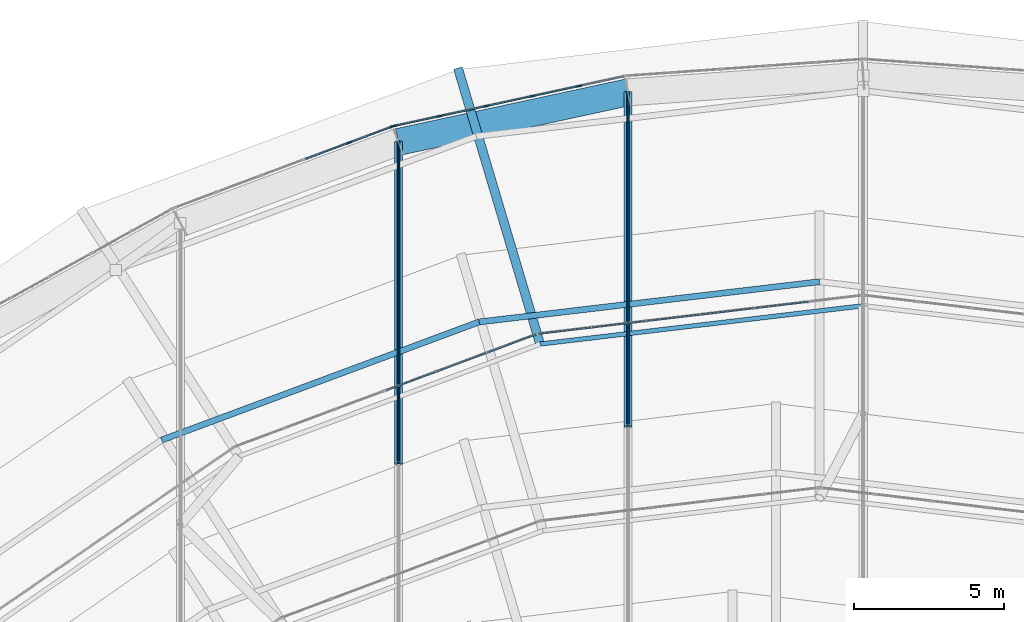
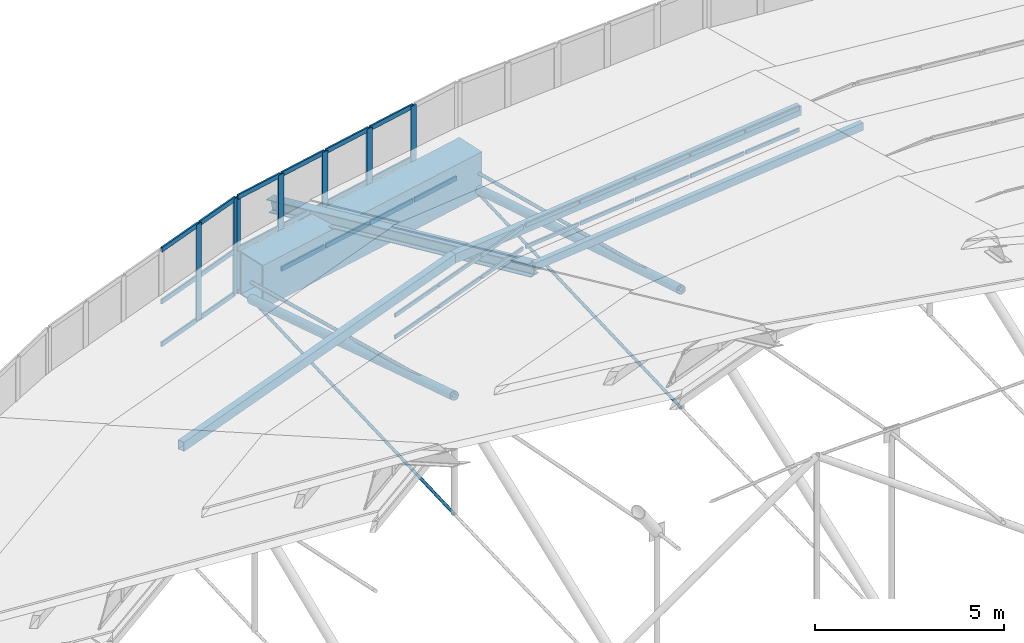
# One storey, part 114 of 173: 52 members, 1 beam, 4 elements without a shape of their own.
"""IFC4 building model written with IfcOpenShell, lengths in metres."""

import ifcopenshell
import ifcopenshell.guid

model = None  # the IFC model being written
_history = None  # IfcOwnerHistory: only IFC2X3 demands one
_inside = {}  # id of a spatial element -> (the spatial element, [elements in it])
_under = {}  # id of a project, library or spatial element -> (it, [spatial elements below it])
_declared = {}  # id of a project -> (the project, [libraries it declares])
_typed = {}  # id of a type object -> (the type object, [elements of that type])
_made_of = {}  # id of a material, layer set ... -> (it, [elements and type objects made of it])


def new_model(schema):
    """Start an empty IFC model of exactly this schema.

    Asked for "IFC4X3", IfcOpenShell would pick the latest addendum, in which some entities
    have other attributes; the version numbers below select the first issue.
    IFC2X3 requires an IfcOwnerHistory on every rooted entity: one is made here for all.
    """
    global model, _history
    if schema == "IFC4X3":
        model = ifcopenshell.file(schema_version=(4, 3, 0, 0))
    else:
        model = ifcopenshell.file(schema=schema)
    _inside.clear()
    _under.clear()
    _declared.clear()
    _typed.clear()
    _made_of.clear()
    _history = None
    if model.schema == "IFC2X3":
        org = make("IfcOrganization", Name="unknown")
        user = make(
            "IfcPersonAndOrganization",
            ThePerson=make("IfcPerson", FamilyName="unknown"),
            TheOrganization=org,
        )
        app = make(
            "IfcApplication",
            ApplicationDeveloper=org,
            Version="unknown",
            ApplicationFullName="unknown",
            ApplicationIdentifier="unknown",
        )
        _history = make(
            "IfcOwnerHistory",
            OwningUser=user,
            OwningApplication=app,
            ChangeAction="ADDED",
            CreationDate=0,
        )
    return model


def make(cls, **values):
    """One entity of the class cls with the attributes given. An attribute that is None is left unset."""
    return model.create_entity(
        cls, **{name: value for name, value in values.items() if value is not None}
    )


def rooted(cls, **values):
    """An entity with a GlobalId (a new one), such as an element, a storey or a relation."""
    return make(cls, GlobalId=ifcopenshell.guid.new(), OwnerHistory=_history, **values)


def si_unit(unit_type, name, prefix=None):
    """IfcSIUnit, for example si_unit("LENGTHUNIT", "METRE", prefix="MILLI")."""
    return make("IfcSIUnit", UnitType=unit_type, Prefix=prefix, Name=name)


def assignment(units):
    """IfcUnitAssignment: the units of a project."""
    return None if units is None else make("IfcUnitAssignment", Units=units)


def point(xyz):
    """IfcCartesianPoint."""
    return None if xyz is None else make("IfcCartesianPoint", Coordinates=xyz)


def direction(xyz):
    """IfcDirection."""
    return None if xyz is None else make("IfcDirection", DirectionRatios=xyz)


def frame(location, z_axis=None, x_axis=None):
    """IfcAxis2Placement3D, a coordinate frame: its origin and axes. An axis left out is left unset."""
    return make(
        "IfcAxis2Placement3D",
        Location=point(location),
        Axis=direction(z_axis),
        RefDirection=direction(x_axis),
    )


def frame_2d(location, x_axis=None):
    """IfcAxis2Placement2D, a coordinate frame in the plane: its origin and x axis."""
    return make(
        "IfcAxis2Placement2D", Location=point(location), RefDirection=direction(x_axis)
    )


def origin():
    """The frame at (0, 0, 0) with its axes left unset."""
    return frame((0.0, 0.0, 0.0))


def origin_2d():
    """The frame at (0, 0) in the plane with its x axis left unset."""
    return frame_2d((0.0, 0.0))


def place(relative_to, where):
    """IfcLocalPlacement: puts the frame where relative to a parent placement (None: the world)."""
    return make(
        "IfcLocalPlacement", PlacementRelTo=relative_to, RelativePlacement=where
    )


def context(
    kind, dimensions, precision=None, world=None, true_north=None, identifier=None
):
    """IfcGeometricRepresentationContext, for example the 3D "Model" context."""
    return make(
        "IfcGeometricRepresentationContext",
        ContextIdentifier=identifier,
        ContextType=kind,
        CoordinateSpaceDimension=dimensions,
        Precision=precision,
        WorldCoordinateSystem=world,
        TrueNorth=true_north,
    )


def subcontext(parent, identifier, kind, view, scale=None):
    """IfcGeometricRepresentationSubContext, for example "Body" below "Model"."""
    return make(
        "IfcGeometricRepresentationSubContext",
        ContextIdentifier=identifier,
        ContextType=kind,
        ParentContext=parent,
        TargetScale=scale,
        TargetView=view,
    )


def project(units=None, contexts=None):
    """IfcProject with its units and contexts."""
    return rooted(
        "IfcProject",
        Name="project",
        RepresentationContexts=contexts,
        UnitsInContext=assignment(units),
    )


def spatial(cls, under=None, at=None, **own):
    """A site, building, storey or space (cls), placed at a placement, below another one or the project."""
    s = rooted(cls, ObjectPlacement=at, **own)
    if under is not None:
        _under.setdefault(under.id(), (under, []))[1].append(s)
    return s


def profile(cls, at=None, kind="AREA", **sizes):
    """A parametric profile (cls). Its sizes go by their IFC names, for example OverallWidth=200.0."""
    return make(cls, ProfileType=kind, Position=at, **sizes)


def rectangle(**sizes):
    """IfcRectangleProfileDef."""
    return profile("IfcRectangleProfileDef", **sizes)


def hollow_rectangle(**sizes):
    """IfcRectangleHollowProfileDef."""
    return profile("IfcRectangleHollowProfileDef", **sizes)


def circle(**sizes):
    """IfcCircleProfileDef."""
    return profile("IfcCircleProfileDef", **sizes)


def hollow_circle(**sizes):
    """IfcCircleHollowProfileDef."""
    return profile("IfcCircleHollowProfileDef", **sizes)


def i_section(**sizes):
    """IfcIShapeProfileDef."""
    return profile("IfcIShapeProfileDef", **sizes)


def extrude(swept, where, along, depth):
    """IfcExtrudedAreaSolid: the profile swept, set in the frame where, extruded along a direction by depth."""
    return make(
        "IfcExtrudedAreaSolid",
        SweptArea=swept,
        Position=where,
        ExtrudedDirection=direction(along),
        Depth=depth,
    )


def shape(context_of_items, identifier, shape_type, items):
    """IfcShapeRepresentation: the items that make up one representation, for example the "Body"."""
    return make(
        "IfcShapeRepresentation",
        ContextOfItems=context_of_items,
        RepresentationIdentifier=identifier,
        RepresentationType=shape_type,
        Items=items,
    )


def material(Name=None, Category=None):
    """IfcMaterial."""
    return make("IfcMaterial", Name=Name, Category=Category)


def material_profile(
    of_material, cross_section, Name=None, Category=None, Priority=None
):
    """IfcMaterialProfile: a cross section and its material."""
    return make(
        "IfcMaterialProfile",
        Name=Name,
        Material=of_material,
        Profile=cross_section,
        Priority=Priority,
        Category=Category,
    )


def profile_set(profiles, Name=None, composite=None):
    """IfcMaterialProfileSet."""
    return make(
        "IfcMaterialProfileSet",
        Name=Name,
        MaterialProfiles=profiles,
        CompositeProfile=composite,
    )


def made_of(thing, what):
    """Note that an element or type object is made of a material, layer set ...; save() writes the relation."""
    if what is not None:
        _made_of.setdefault(what.id(), (what, []))[1].append(thing)
    return thing


def type_object(cls, material=None, **own):
    """A type object (cls), such as IfcWallType, which elements share."""
    return made_of(rooted(cls, **own), material)


def element(
    cls,
    number,
    at=None,
    inside=None,
    cuts=None,
    type_object=None,
    material=None,
    context=None,
    identifier="Body",
    shape_type=None,
    held_by="IfcProductDefinitionShape",
    body=None,
    shapes=None,
    **own,
):
    """One element of the class cls, such as IfcWall. Its Tag is "e" and its number.

    at: its placement. inside: the storey or other place that contains it. cuts: it is an
    opening in that element (IfcRelVoidsElement). A single representation is given by context,
    identifier, shape_type and body (its items); several are given by shapes. held_by: the class
    of the entity that holds the representations. save() writes the other relations.
    """
    e = rooted(cls, Tag="e%d" % number, ObjectPlacement=at, **own)
    if body is not None:
        shapes = [shape(context, identifier, shape_type, body)]
    if shapes is not None:
        e.Representation = make(held_by, Representations=shapes)
    if inside is not None:
        _inside.setdefault(inside.id(), (inside, []))[1].append(e)
    if cuts is not None:
        rooted(
            "IfcRelVoidsElement", RelatingBuildingElement=cuts, RelatedOpeningElement=e
        )
    if type_object is not None:
        _typed.setdefault(type_object.id(), (type_object, []))[1].append(e)
    return made_of(e, material)


def aggregate(whole, parts):
    """IfcRelAggregates: a whole, such as a stair, and the parts it consists of."""
    return rooted("IfcRelAggregates", RelatingObject=whole, RelatedObjects=parts)


def save(model, path):
    """Write the relations noted so far, then the file.

    IfcRelAggregates (storeys below a building ...), IfcRelContainedInSpatialStructure (elements
    in a storey), IfcRelDefinesByType, IfcRelAssociatesMaterial and IfcRelDeclares: one each for
    every whole, place, type object, material and project.
    """
    for whole, parts in _under.values():
        aggregate(whole, parts)
    for where, things in _inside.values():
        rooted(
            "IfcRelContainedInSpatialStructure",
            RelatedElements=things,
            RelatingStructure=where,
        )
    for kind, things in _typed.values():
        rooted("IfcRelDefinesByType", RelatedObjects=things, RelatingType=kind)
    for what, things in _made_of.values():
        rooted("IfcRelAssociatesMaterial", RelatedObjects=things, RelatingMaterial=what)
    for by, libraries in _declared.values():
        rooted("IfcRelDeclares", RelatingContext=by, RelatedDefinitions=libraries)
    model.write(path)


model = new_model("IFC4")

# Units and contexts
model_context = context("Model", 3, precision=1e-05, world=origin(), true_north=direction((0.0, 1.0)))
body_context = subcontext(model_context, "Body", "Model", "MODEL_VIEW")
ifc_project = project(units=[si_unit("LENGTHUNIT", "METRE"), si_unit("AREAUNIT", "SQUARE_METRE"), si_unit("VOLUMEUNIT", "CUBIC_METRE"), si_unit("PLANEANGLEUNIT", "RADIAN"), si_unit("MASSUNIT", "GRAM", prefix="KILO")], contexts=[model_context])

# Site, building, storey
site_placement = place(None, origin())
site = spatial("IfcSite", under=ifc_project, at=site_placement, CompositionType="ELEMENT")
building_placement = place(site_placement, origin())
building = spatial("IfcBuilding", under=site, at=building_placement, Name="Glasvene Arena", CompositionType="ELEMENT")
storey_placement = place(building_placement, frame((0.0, 0.0, 28.800048828125)))
storey = spatial("IfcBuildingStorey", under=building, at=storey_placement, Name="RF", CompositionType="ELEMENT", Elevation=28.800048828125)

# Beam
ifc_material_1 = material(Name="Steel S355J2", Category="steel")
ifc_material_profile_1 = material_profile(ifc_material_1, hollow_rectangle(XDim=0.89990234375, YDim=1.39990234375, WallThickness=0.034912109375, at=origin_2d()), Name="WBOX 900x1400x35")
ifc_profile_set_1 = profile_set([ifc_material_profile_1], Name="Steel S355J2")
beam_type = type_object("IfcBeamType", Name="BM-RING-BOX1400", PredefinedType="USERDEFINED", material=ifc_profile_set_1)
beam_placement = place(storey_placement, frame((84.17822265625, 117.446044921875, -0.699951171875), z_axis=(-0.977442097296, -0.211203566338, 0.0), x_axis=(0.211203566338, -0.977442097296, 0.0)))
element("IfcBeam", 1, at=beam_placement, inside=storey, type_object=beam_type, Name="Compression ring beam chord RB-12", ObjectType="RING BEAM", PredefinedType="USERDEFINED", context=body_context, shape_type="SweptSolid", body=[
    extrude(hollow_rectangle(XDim=0.89990234375, YDim=1.39990234375, WallThickness=0.034912109375, at=origin_2d()), origin(), (0.0, 0.0, 1.0), 7.804931640625),
])

# Curtain wall, members
ifc_material_2 = material(Name="Low-emissivity laminated double glazing", Category="glass")
curtain_wall_type_1 = type_object("IfcCurtainWallType", Name="CW-DRUM-789x310", PredefinedType="USERDEFINED", material=ifc_material_2)
curtain_wall_1_placement = place(storey_placement, frame((84.09228515625, 117.9892578125, 0.0)))
curtain_wall_1 = element("IfcCurtainWall", 2, at=curtain_wall_1_placement, inside=storey, type_object=curtain_wall_type_1, Name="Crown compression-ring fascia curtain wall 12", ObjectType="CURTAIN WALL", PredefinedType="USERDEFINED")
ifc_material_3 = material(Name="Anodised architectural aluminium", Category="aluminium")
ifc_material_profile_2 = material_profile(ifc_material_3, rectangle(XDim=0.050048828125, YDim=0.199951171875, at=origin_2d()), Name="ALU MULLION 50x200")
ifc_profile_set_2 = profile_set([ifc_material_profile_2], Name="Anodised architectural aluminium")
member_type_1 = type_object("IfcMemberType", Name="CW-MUL-180", PredefinedType="MULLION", material=ifc_profile_set_2)
member_1_placement = place(storey_placement, frame((82.549560546875, 117.655517578125, -1.380126953125), z_axis=(0.0, 0.0, 1.0), x_axis=(0.211444690135, -0.977389964658, 0.0)))
member_1 = element("IfcMember", 3, at=member_1_placement, type_object=member_type_1, Name="CW-079 mullion 2", PredefinedType="MULLION", context=body_context, shape_type="SweptSolid", body=[
    extrude(rectangle(XDim=0.050048828125, YDim=0.199951171875, at=origin_2d()), origin(), (0.0, 0.0, 1.0), 3.10009765625),
])
member_2_placement = place(storey_placement, frame((81.007080078125, 117.32177734375, -1.380126953125), z_axis=(0.0, 0.0, 1.0), x_axis=(0.211444690135, -0.977389964658, 0.0)))
member_2 = element("IfcMember", 4, at=member_2_placement, type_object=member_type_1, Name="CW-079 mullion 3", PredefinedType="MULLION", context=body_context, shape_type="SweptSolid", body=[
    extrude(rectangle(XDim=0.050048828125, YDim=0.199951171875, at=origin_2d()), origin(), (0.0, 0.0, 1.0), 3.10009765625),
])
member_3_placement = place(storey_placement, frame((79.46435546875, 116.988037109375, -1.380126953125), z_axis=(0.0, 0.0, 1.0), x_axis=(0.211444690135, -0.977389964658, 0.0)))
member_3 = element("IfcMember", 5, at=member_3_placement, type_object=member_type_1, Name="CW-079 mullion 4", PredefinedType="MULLION", context=body_context, shape_type="SweptSolid", body=[
    extrude(rectangle(XDim=0.050048828125, YDim=0.199951171875, at=origin_2d()), origin(), (0.0, 0.0, 1.0), 3.10009765625),
])
member_4_placement = place(storey_placement, frame((77.921875, 116.654296875, -1.380126953125), z_axis=(0.0, 0.0, 1.0), x_axis=(0.211444690135, -0.977389964658, 0.0)))
member_4 = element("IfcMember", 6, at=member_4_placement, type_object=member_type_1, Name="CW-079 mullion 5", PredefinedType="MULLION", context=body_context, shape_type="SweptSolid", body=[
    extrude(rectangle(XDim=0.050048828125, YDim=0.199951171875, at=origin_2d()), origin(), (0.0, 0.0, 1.0), 3.10009765625),
])
member_5_placement = place(storey_placement, frame((76.403564453125, 116.325927734375, -1.380126953125), z_axis=(0.0, 0.0, 1.0), x_axis=(0.211444690135, -0.977389964658, 0.0)))
member_5 = element("IfcMember", 7, at=member_5_placement, type_object=member_type_1, Name="CW-079 mullion 6", PredefinedType="MULLION", context=body_context, shape_type="SweptSolid", body=[
    extrude(rectangle(XDim=0.050048828125, YDim=0.199951171875, at=origin_2d()), origin(), (0.0, 0.0, 1.0), 3.10009765625),
])

curtain_wall_type_2 = type_object("IfcCurtainWallType", Name="CW-DRUM-782x310", PredefinedType="USERDEFINED", material=ifc_material_2)
curtain_wall_2_placement = place(storey_placement, frame((76.379150390625, 116.320556640625, 0.0)))
curtain_wall_2 = element("IfcCurtainWall", 8, at=curtain_wall_2_placement, inside=storey, type_object=curtain_wall_type_2, Name="Crown compression-ring fascia curtain wall 13", ObjectType="CURTAIN WALL", PredefinedType="USERDEFINED")
member_6_placement = place(storey_placement, frame((76.355712890625, 116.311767578125, -1.380126953125), z_axis=(0.0, 0.0, 1.0), x_axis=(0.349682803856, -0.936868153311, 0.0)))
member_6 = element("IfcMember", 9, at=member_6_placement, type_object=member_type_1, Name="CW-078 mullion 1", PredefinedType="MULLION", context=body_context, shape_type="SweptSolid", body=[
    extrude(rectangle(XDim=0.050048828125, YDim=0.199951171875, at=origin_2d()), origin(), (0.0, 0.0, 1.0), 3.10009765625),
])
member_7_placement = place(storey_placement, frame((74.91357421875, 115.7734375, -1.380126953125), z_axis=(0.0, 0.0, 1.0), x_axis=(0.349682803856, -0.936868153311, 0.0)))
member_7 = element("IfcMember", 10, at=member_7_placement, type_object=member_type_1, Name="CW-078 mullion 2", PredefinedType="MULLION", context=body_context, shape_type="SweptSolid", body=[
    extrude(rectangle(XDim=0.050048828125, YDim=0.199951171875, at=origin_2d()), origin(), (0.0, 0.0, 1.0), 3.10009765625),
])

curtain_wall_type_3 = type_object("IfcCurtainWallType", Name="CW-PET1-1091x75", PredefinedType="USERDEFINED", material=ifc_material_2)
curtain_wall_3_placement = place(storey_placement, frame((92.0, 110.699951171875, 0.0)))
curtain_wall_3 = element("IfcCurtainWall", 11, at=curtain_wall_3_placement, inside=storey, type_object=curtain_wall_type_3, Name="Petal ring 1-2 clerestory curtain wall 07", ObjectType="CURTAIN WALL", PredefinedType="USERDEFINED")
ifc_material_profile_3 = material_profile(ifc_material_3, rectangle(XDim=0.050048828125, YDim=0.1201171875, at=origin_2d()), Name="ALU TRANSOM 50x120")
ifc_profile_set_3 = profile_set([ifc_material_profile_3], Name="Anodised architectural aluminium")
member_type_2 = type_object("IfcMemberType", Name="CW-TRN-120", PredefinedType="USERDEFINED", material=ifc_profile_set_3)
member_8_placement = place(storey_placement, frame((90.169921875, 110.48291015625, 2.60498046875), z_axis=(-0.993037974268, -0.117794658886, 0.0), x_axis=(0.117794658886, -0.993037974268, 0.0)))
member_8 = element("IfcMember", 12, at=member_8_placement, type_object=member_type_2, Name="CW-086 transom 2.1", ObjectType="TRANSOM", PredefinedType="USERDEFINED", context=body_context, shape_type="SweptSolid", body=[
    extrude(rectangle(XDim=0.050048828125, YDim=0.1201171875, at=origin_2d()), origin(), (0.0, 0.0, 1.0), 1.767822265625),
])
member_9_placement = place(storey_placement, frame((90.169921875, 110.48291015625, 3.304931640625), z_axis=(-0.993037974268, -0.117794658886, 0.0), x_axis=(0.117794658886, -0.993037974268, 0.0)))
member_9 = element("IfcMember", 13, at=member_9_placement, type_object=member_type_2, Name="CW-086 transom 2.2", ObjectType="TRANSOM", PredefinedType="USERDEFINED", context=body_context, shape_type="SweptSolid", body=[
    extrude(rectangle(XDim=0.050048828125, YDim=0.1201171875, at=origin_2d()), origin(), (0.0, 0.0, 1.0), 1.767822265625),
])
member_10_placement = place(storey_placement, frame((88.36474609375, 110.268798828125, 2.60498046875), z_axis=(-0.993037974268, -0.117794658886, 0.0), x_axis=(0.117794658886, -0.993037974268, 0.0)))
member_10 = element("IfcMember", 14, at=member_10_placement, type_object=member_type_2, Name="CW-086 transom 3.1", ObjectType="TRANSOM", PredefinedType="USERDEFINED", context=body_context, shape_type="SweptSolid", body=[
    extrude(rectangle(XDim=0.050048828125, YDim=0.1201171875, at=origin_2d()), origin(), (0.0, 0.0, 1.0), 1.767822265625),
])
member_11_placement = place(storey_placement, frame((88.36474609375, 110.268798828125, 3.304931640625), z_axis=(-0.993037974268, -0.117794658886, 0.0), x_axis=(0.117794658886, -0.993037974268, 0.0)))
member_11 = element("IfcMember", 15, at=member_11_placement, type_object=member_type_2, Name="CW-086 transom 3.2", ObjectType="TRANSOM", PredefinedType="USERDEFINED", context=body_context, shape_type="SweptSolid", body=[
    extrude(rectangle(XDim=0.050048828125, YDim=0.1201171875, at=origin_2d()), origin(), (0.0, 0.0, 1.0), 1.767822265625),
])
member_12_placement = place(storey_placement, frame((86.559326171875, 110.0546875, 2.60498046875), z_axis=(-0.993037974268, -0.117794658886, 0.0), x_axis=(0.117794658886, -0.993037974268, 0.0)))
member_12 = element("IfcMember", 16, at=member_12_placement, type_object=member_type_2, Name="CW-086 transom 4.1", ObjectType="TRANSOM", PredefinedType="USERDEFINED", context=body_context, shape_type="SweptSolid", body=[
    extrude(rectangle(XDim=0.050048828125, YDim=0.1201171875, at=origin_2d()), origin(), (0.0, 0.0, 1.0), 1.767822265625),
])
member_13_placement = place(storey_placement, frame((86.559326171875, 110.0546875, 3.304931640625), z_axis=(-0.993037974268, -0.117794658886, 0.0), x_axis=(0.117794658886, -0.993037974268, 0.0)))
member_13 = element("IfcMember", 17, at=member_13_placement, type_object=member_type_2, Name="CW-086 transom 4.2", ObjectType="TRANSOM", PredefinedType="USERDEFINED", context=body_context, shape_type="SweptSolid", body=[
    extrude(rectangle(XDim=0.050048828125, YDim=0.1201171875, at=origin_2d()), origin(), (0.0, 0.0, 1.0), 1.767822265625),
])
member_14_placement = place(storey_placement, frame((84.754150390625, 109.840576171875, 2.60498046875), z_axis=(-0.993037974268, -0.117794658886, 0.0), x_axis=(0.117794658886, -0.993037974268, 0.0)))
member_14 = element("IfcMember", 18, at=member_14_placement, type_object=member_type_2, Name="CW-086 transom 5.1", ObjectType="TRANSOM", PredefinedType="USERDEFINED", context=body_context, shape_type="SweptSolid", body=[
    extrude(rectangle(XDim=0.050048828125, YDim=0.1201171875, at=origin_2d()), origin(), (0.0, 0.0, 1.0), 1.767822265625),
])
member_15_placement = place(storey_placement, frame((84.754150390625, 109.840576171875, 3.304931640625), z_axis=(-0.993037974268, -0.117794658886, 0.0), x_axis=(0.117794658886, -0.993037974268, 0.0)))
member_15 = element("IfcMember", 19, at=member_15_placement, type_object=member_type_2, Name="CW-086 transom 5.2", ObjectType="TRANSOM", PredefinedType="USERDEFINED", context=body_context, shape_type="SweptSolid", body=[
    extrude(rectangle(XDim=0.050048828125, YDim=0.1201171875, at=origin_2d()), origin(), (0.0, 0.0, 1.0), 1.767822265625),
])
member_16_placement = place(storey_placement, frame((82.94873046875, 109.62646484375, 2.60498046875), z_axis=(-0.993052725692, -0.117670234107, 0.0), x_axis=(0.117670234107, -0.993052725692, 0.0)))
member_16 = element("IfcMember", 20, at=member_16_placement, type_object=member_type_2, Name="CW-086 transom 6.1", ObjectType="TRANSOM", PredefinedType="USERDEFINED", context=body_context, shape_type="SweptSolid", body=[
    extrude(rectangle(XDim=0.050048828125, YDim=0.1201171875, at=origin_2d()), origin(), (0.0, 0.0, 1.0), 1.742919921875),
])
member_17_placement = place(storey_placement, frame((82.94873046875, 109.62646484375, 3.304931640625), z_axis=(-0.993052725692, -0.117670234107, 0.0), x_axis=(0.117670234107, -0.993052725692, 0.0)))
member_17 = element("IfcMember", 21, at=member_17_placement, type_object=member_type_2, Name="CW-086 transom 6.2", ObjectType="TRANSOM", PredefinedType="USERDEFINED", context=body_context, shape_type="SweptSolid", body=[
    extrude(rectangle(XDim=0.050048828125, YDim=0.1201171875, at=origin_2d()), origin(), (0.0, 0.0, 1.0), 1.742919921875),
])
aggregate(curtain_wall_3, [member_8, member_9, member_10, member_11, member_12, member_13, member_14, member_15, member_16, member_17])

curtain_wall_type_4 = type_object("IfcCurtainWallType", Name="CW-PET1-1077x75", PredefinedType="USERDEFINED", material=ifc_material_2)
curtain_wall_4_placement = place(storey_placement, frame((81.16845703125, 109.415283203125, 0.0)))
curtain_wall_4 = element("IfcCurtainWall", 22, at=curtain_wall_4_placement, inside=storey, type_object=curtain_wall_type_4, Name="Petal ring 1-2 clerestory curtain wall 08", ObjectType="CURTAIN WALL", PredefinedType="USERDEFINED")
member_18_placement = place(storey_placement, frame((81.12158203125, 109.39794921875, 2.60498046875), z_axis=(-0.936893575356, -0.3496146857, 0.0), x_axis=(0.3496146857, -0.936893575356, 0.0)))
member_18 = element("IfcMember", 23, at=member_18_placement, type_object=member_type_2, Name="CW-085 transom 1.1", ObjectType="TRANSOM", PredefinedType="USERDEFINED", context=body_context, shape_type="SweptSolid", body=[
    extrude(rectangle(XDim=0.050048828125, YDim=0.1201171875, at=origin_2d()), origin(), (0.0, 0.0, 1.0), 1.720703125),
])
member_19_placement = place(storey_placement, frame((81.12158203125, 109.39794921875, 3.304931640625), z_axis=(-0.936893575356, -0.3496146857, 0.0), x_axis=(0.3496146857, -0.936893575356, 0.0)))
member_19 = element("IfcMember", 24, at=member_19_placement, type_object=member_type_2, Name="CW-085 transom 1.2", ObjectType="TRANSOM", PredefinedType="USERDEFINED", context=body_context, shape_type="SweptSolid", body=[
    extrude(rectangle(XDim=0.050048828125, YDim=0.1201171875, at=origin_2d()), origin(), (0.0, 0.0, 1.0), 1.720703125),
])
member_20_placement = place(storey_placement, frame((79.462646484375, 108.779052734375, 2.60498046875), z_axis=(-0.936868399673, -0.349682143802, 0.0), x_axis=(0.349682143802, -0.936868399673, 0.0)))
member_20 = element("IfcMember", 25, at=member_20_placement, type_object=member_type_2, Name="CW-085 transom 2.1", ObjectType="TRANSOM", PredefinedType="USERDEFINED", context=body_context, shape_type="SweptSolid", body=[
    extrude(rectangle(XDim=0.050048828125, YDim=0.1201171875, at=origin_2d()), origin(), (0.0, 0.0, 1.0), 1.745361328125),
])
member_21_placement = place(storey_placement, frame((79.462646484375, 108.779052734375, 3.304931640625), z_axis=(-0.936868399673, -0.349682143802, 0.0), x_axis=(0.349682143802, -0.936868399673, 0.0)))
member_21 = element("IfcMember", 26, at=member_21_placement, type_object=member_type_2, Name="CW-085 transom 2.2", ObjectType="TRANSOM", PredefinedType="USERDEFINED", context=body_context, shape_type="SweptSolid", body=[
    extrude(rectangle(XDim=0.050048828125, YDim=0.1201171875, at=origin_2d()), origin(), (0.0, 0.0, 1.0), 1.745361328125),
])
member_22_placement = place(storey_placement, frame((77.780517578125, 108.1513671875, 2.60498046875), z_axis=(-0.936885499629, -0.349636326179, 0.0), x_axis=(0.349636326179, -0.936885499629, 0.0)))
member_22 = element("IfcMember", 27, at=member_22_placement, type_object=member_type_2, Name="CW-085 transom 3.1", ObjectType="TRANSOM", PredefinedType="USERDEFINED", context=body_context, shape_type="SweptSolid", body=[
    extrude(rectangle(XDim=0.050048828125, YDim=0.1201171875, at=origin_2d()), origin(), (0.0, 0.0, 1.0), 1.74560546875),
])
member_23_placement = place(storey_placement, frame((77.780517578125, 108.1513671875, 3.304931640625), z_axis=(-0.936885499629, -0.349636326179, 0.0), x_axis=(0.349636326179, -0.936885499629, 0.0)))
member_23 = element("IfcMember", 28, at=member_23_placement, type_object=member_type_2, Name="CW-085 transom 3.2", ObjectType="TRANSOM", PredefinedType="USERDEFINED", context=body_context, shape_type="SweptSolid", body=[
    extrude(rectangle(XDim=0.050048828125, YDim=0.1201171875, at=origin_2d()), origin(), (0.0, 0.0, 1.0), 1.74560546875),
])
aggregate(curtain_wall_4, [member_18, member_19, member_20, member_21, member_22, member_23])

# Member
ifc_material_profile_4 = material_profile(ifc_material_3, rectangle(XDim=0.050048828125, YDim=0.14990234375, at=origin_2d()), Name="ALU TRANSOM 50x150")
ifc_profile_set_4 = profile_set([ifc_material_profile_4], Name="Anodised architectural aluminium")
member_type_3 = type_object("IfcMemberType", Name="CW-TRN-150", PredefinedType="USERDEFINED", material=ifc_profile_set_4)
member_24_placement = place(storey_placement, frame((84.043212890625, 117.978515625, -1.35498046875), z_axis=(-0.977386956686, -0.211458593819, 0.0), x_axis=(0.211458593819, -0.977386956686, 0.0)))
member_24 = element("IfcMember", 29, at=member_24_placement, type_object=member_type_3, Name="CW-079 transom 1.1", ObjectType="TRANSOM", PredefinedType="USERDEFINED", context=body_context, shape_type="SweptSolid", body=[
    extrude(rectangle(XDim=0.050048828125, YDim=0.14990234375, at=origin_2d()), origin(), (0.0, 0.0, 1.0), 1.503173828125),
])

member_25_placement = place(storey_placement, frame((82.525146484375, 117.650146484375, -1.35498046875), z_axis=(-0.977407921799, -0.2113616673, 0.0), x_axis=(0.2113616673, -0.977407921799, 0.0)))
member_25 = element("IfcMember", 30, at=member_25_placement, type_object=member_type_3, Name="CW-079 transom 2.1", ObjectType="TRANSOM", PredefinedType="USERDEFINED", context=body_context, shape_type="SweptSolid", body=[
    extrude(rectangle(XDim=0.050048828125, YDim=0.14990234375, at=origin_2d()), origin(), (0.0, 0.0, 1.0), 1.528076171875),
])

member_26_placement = place(storey_placement, frame((82.525146484375, 117.650146484375, 0.02001953125), z_axis=(-0.977407921799, -0.2113616673, 0.0), x_axis=(0.2113616673, -0.977407921799, 0.0)))
member_26 = element("IfcMember", 31, at=member_26_placement, type_object=member_type_3, Name="CW-079 transom 2.2", ObjectType="TRANSOM", PredefinedType="USERDEFINED", context=body_context, shape_type="SweptSolid", body=[
    extrude(rectangle(XDim=0.050048828125, YDim=0.14990234375, at=origin_2d()), origin(), (0.0, 0.0, 1.0), 1.528076171875),
])

member_27_placement = place(storey_placement, frame((82.525146484375, 117.650146484375, 1.695068359375), z_axis=(-0.977407921799, -0.2113616673, 0.0), x_axis=(0.2113616673, -0.977407921799, 0.0)))
member_27 = element("IfcMember", 32, at=member_27_placement, type_object=member_type_3, Name="CW-079 transom 2.3", ObjectType="TRANSOM", PredefinedType="USERDEFINED", context=body_context, shape_type="SweptSolid", body=[
    extrude(rectangle(XDim=0.050048828125, YDim=0.14990234375, at=origin_2d()), origin(), (0.0, 0.0, 1.0), 1.528076171875),
])

member_28_placement = place(storey_placement, frame((80.982666015625, 117.31640625, -1.35498046875), z_axis=(-0.97741505718, -0.211328668189, 0.0), x_axis=(0.211328668189, -0.97741505718, 0.0)))
member_28 = element("IfcMember", 33, at=member_28_placement, type_object=member_type_3, Name="CW-079 transom 3.1", ObjectType="TRANSOM", PredefinedType="USERDEFINED", context=body_context, shape_type="SweptSolid", body=[
    extrude(rectangle(XDim=0.050048828125, YDim=0.14990234375, at=origin_2d()), origin(), (0.0, 0.0, 1.0), 1.5283203125),
])

member_29_placement = place(storey_placement, frame((80.982666015625, 117.31640625, 0.02001953125), z_axis=(-0.97741505718, -0.211328668189, 0.0), x_axis=(0.211328668189, -0.97741505718, 0.0)))
member_29 = element("IfcMember", 34, at=member_29_placement, type_object=member_type_3, Name="CW-079 transom 3.2", ObjectType="TRANSOM", PredefinedType="USERDEFINED", context=body_context, shape_type="SweptSolid", body=[
    extrude(rectangle(XDim=0.050048828125, YDim=0.14990234375, at=origin_2d()), origin(), (0.0, 0.0, 1.0), 1.5283203125),
])

member_30_placement = place(storey_placement, frame((80.982666015625, 117.31640625, 1.695068359375), z_axis=(-0.97741505718, -0.211328668189, 0.0), x_axis=(0.211328668189, -0.97741505718, 0.0)))
member_30 = element("IfcMember", 35, at=member_30_placement, type_object=member_type_3, Name="CW-079 transom 3.3", ObjectType="TRANSOM", PredefinedType="USERDEFINED", context=body_context, shape_type="SweptSolid", body=[
    extrude(rectangle(XDim=0.050048828125, YDim=0.14990234375, at=origin_2d()), origin(), (0.0, 0.0, 1.0), 1.5283203125),
])

member_31_placement = place(storey_placement, frame((79.43994140625, 116.982666015625, -1.35498046875), z_axis=(-0.977407921799, -0.2113616673, 0.0), x_axis=(0.2113616673, -0.977407921799, 0.0)))
member_31 = element("IfcMember", 36, at=member_31_placement, type_object=member_type_3, Name="CW-079 transom 4.1", ObjectType="TRANSOM", PredefinedType="USERDEFINED", context=body_context, shape_type="SweptSolid", body=[
    extrude(rectangle(XDim=0.050048828125, YDim=0.14990234375, at=origin_2d()), origin(), (0.0, 0.0, 1.0), 1.528076171875),
])

member_32_placement = place(storey_placement, frame((79.43994140625, 116.982666015625, 0.02001953125), z_axis=(-0.977407921799, -0.2113616673, 0.0), x_axis=(0.2113616673, -0.977407921799, 0.0)))
member_32 = element("IfcMember", 37, at=member_32_placement, type_object=member_type_3, Name="CW-079 transom 4.2", ObjectType="TRANSOM", PredefinedType="USERDEFINED", context=body_context, shape_type="SweptSolid", body=[
    extrude(rectangle(XDim=0.050048828125, YDim=0.14990234375, at=origin_2d()), origin(), (0.0, 0.0, 1.0), 1.528076171875),
])

member_33_placement = place(storey_placement, frame((79.43994140625, 116.982666015625, 1.695068359375), z_axis=(-0.977407921799, -0.2113616673, 0.0), x_axis=(0.2113616673, -0.977407921799, 0.0)))
member_33 = element("IfcMember", 38, at=member_33_placement, type_object=member_type_3, Name="CW-079 transom 4.3", ObjectType="TRANSOM", PredefinedType="USERDEFINED", context=body_context, shape_type="SweptSolid", body=[
    extrude(rectangle(XDim=0.050048828125, YDim=0.14990234375, at=origin_2d()), origin(), (0.0, 0.0, 1.0), 1.528076171875),
])

member_34_placement = place(storey_placement, frame((77.8974609375, 116.64892578125, -1.35498046875), z_axis=(-0.977394217104, -0.211425032509, 0.0), x_axis=(0.211425032509, -0.977394217104, 0.0)))
member_34 = element("IfcMember", 39, at=member_34_placement, type_object=member_type_3, Name="CW-079 transom 5.1", ObjectType="TRANSOM", PredefinedType="USERDEFINED", context=body_context, shape_type="SweptSolid", body=[
    extrude(rectangle(XDim=0.050048828125, YDim=0.14990234375, at=origin_2d()), origin(), (0.0, 0.0, 1.0), 1.50341796875),
])

member_35_placement = place(storey_placement, frame((77.8974609375, 116.64892578125, 0.02001953125), z_axis=(-0.977394217104, -0.211425032509, 0.0), x_axis=(0.211425032509, -0.977394217104, 0.0)))
member_35 = element("IfcMember", 40, at=member_35_placement, type_object=member_type_3, Name="CW-079 transom 5.2", ObjectType="TRANSOM", PredefinedType="USERDEFINED", context=body_context, shape_type="SweptSolid", body=[
    extrude(rectangle(XDim=0.050048828125, YDim=0.14990234375, at=origin_2d()), origin(), (0.0, 0.0, 1.0), 1.50341796875),
])

member_36_placement = place(storey_placement, frame((77.8974609375, 116.64892578125, 1.695068359375), z_axis=(-0.977394217104, -0.211425032509, 0.0), x_axis=(0.211425032509, -0.977394217104, 0.0)))
member_36 = element("IfcMember", 41, at=member_36_placement, type_object=member_type_3, Name="CW-079 transom 5.3", ObjectType="TRANSOM", PredefinedType="USERDEFINED", context=body_context, shape_type="SweptSolid", body=[
    extrude(rectangle(XDim=0.050048828125, YDim=0.14990234375, at=origin_2d()), origin(), (0.0, 0.0, 1.0), 1.50341796875),
])

aggregate(curtain_wall_1, [member_1, member_2, member_3, member_4, member_5, member_24, member_25, member_26, member_27, member_28, member_29, member_30, member_31, member_32, member_33, member_34, member_35, member_36])

member_37_placement = place(storey_placement, frame((76.332275390625, 116.30322265625, -1.35498046875), z_axis=(-0.936820028277, -0.349811713096, 0.0), x_axis=(0.349811713096, -0.936820028277, 0.0)))
member_37 = element("IfcMember", 42, at=member_37_placement, type_object=member_type_3, Name="CW-078 transom 1.1", ObjectType="TRANSOM", PredefinedType="USERDEFINED", context=body_context, shape_type="SweptSolid", body=[
    extrude(rectangle(XDim=0.050048828125, YDim=0.14990234375, at=origin_2d()), origin(), (0.0, 0.0, 1.0), 1.4892578125),
])

member_38_placement = place(storey_placement, frame((76.332275390625, 116.30322265625, 0.02001953125), z_axis=(-0.936820028277, -0.349811713096, 0.0), x_axis=(0.349811713096, -0.936820028277, 0.0)))
member_38 = element("IfcMember", 43, at=member_38_placement, type_object=member_type_3, Name="CW-078 transom 1.2", ObjectType="TRANSOM", PredefinedType="USERDEFINED", context=body_context, shape_type="SweptSolid", body=[
    extrude(rectangle(XDim=0.050048828125, YDim=0.14990234375, at=origin_2d()), origin(), (0.0, 0.0, 1.0), 1.4892578125),
])

member_39_placement = place(storey_placement, frame((76.332275390625, 116.30322265625, 1.695068359375), z_axis=(-0.936820028277, -0.349811713096, 0.0), x_axis=(0.349811713096, -0.936820028277, 0.0)))
member_39 = element("IfcMember", 44, at=member_39_placement, type_object=member_type_3, Name="CW-078 transom 1.3", ObjectType="TRANSOM", PredefinedType="USERDEFINED", context=body_context, shape_type="SweptSolid", body=[
    extrude(rectangle(XDim=0.050048828125, YDim=0.14990234375, at=origin_2d()), origin(), (0.0, 0.0, 1.0), 1.4892578125),
])

member_40_placement = place(storey_placement, frame((74.89013671875, 115.764892578125, -1.35498046875), z_axis=(-0.936831655381, -0.349780573327, 0.0), x_axis=(0.349780573327, -0.936831655381, 0.0)))
member_40 = element("IfcMember", 45, at=member_40_placement, type_object=member_type_3, Name="CW-078 transom 2.1", ObjectType="TRANSOM", PredefinedType="USERDEFINED", context=body_context, shape_type="SweptSolid", body=[
    extrude(rectangle(XDim=0.050048828125, YDim=0.14990234375, at=origin_2d()), origin(), (0.0, 0.0, 1.0), 1.5146484375),
])

member_41_placement = place(storey_placement, frame((74.89013671875, 115.764892578125, 0.02001953125), z_axis=(-0.936831655381, -0.349780573327, 0.0), x_axis=(0.349780573327, -0.936831655381, 0.0)))
member_41 = element("IfcMember", 46, at=member_41_placement, type_object=member_type_3, Name="CW-078 transom 2.2", ObjectType="TRANSOM", PredefinedType="USERDEFINED", context=body_context, shape_type="SweptSolid", body=[
    extrude(rectangle(XDim=0.050048828125, YDim=0.14990234375, at=origin_2d()), origin(), (0.0, 0.0, 1.0), 1.5146484375),
])

member_42_placement = place(storey_placement, frame((74.89013671875, 115.764892578125, 1.695068359375), z_axis=(-0.936831655381, -0.349780573327, 0.0), x_axis=(0.349780573327, -0.936831655381, 0.0)))
member_42 = element("IfcMember", 47, at=member_42_placement, type_object=member_type_3, Name="CW-078 transom 2.3", ObjectType="TRANSOM", PredefinedType="USERDEFINED", context=body_context, shape_type="SweptSolid", body=[
    extrude(rectangle(XDim=0.050048828125, YDim=0.14990234375, at=origin_2d()), origin(), (0.0, 0.0, 1.0), 1.5146484375),
])

aggregate(curtain_wall_2, [member_6, member_7, member_37, member_38, member_39, member_40, member_41, member_42])

# Members
ifc_material_4 = material(Name="High-strength steel spiral strand S460", Category="steel")
ifc_material_profile_5 = material_profile(ifc_material_4, circle(Radius=0.052490234375, at=origin_2d()), Name="LCSS D105")
ifc_profile_set_5 = profile_set([ifc_material_profile_5], Name="High-strength steel spiral strand S460")
member_type_4 = type_object("IfcMemberType", Name="MB-CABLE-105", PredefinedType="USERDEFINED", material=ifc_profile_set_5)
member_43_placement = place(storey_placement, frame((84.17822265625, 106.33447265625, 2.06103515625), z_axis=(0.0, 0.9688326504, -0.247716159179), x_axis=(-1.0, 0.0, 0.0)))
element("IfcMember", 48, at=member_43_placement, inside=storey, type_object=member_type_4, Name="Upper lens roof cable NS06-08", ObjectType="ROOF CABLE", PredefinedType="USERDEFINED", context=body_context, shape_type="SweptSolid", body=[
    extrude(circle(Radius=0.052490234375, at=origin_2d()), origin(), (0.0, 0.0, 1.0), 11.468994140625),
])
member_44_placement = place(storey_placement, frame((76.54931640625, 105.09814453125, 2.06103515625), z_axis=(0.0, 0.966507096701, -0.256639887834), x_axis=(-1.0, 0.0, 0.0)))
element("IfcMember", 49, at=member_44_placement, inside=storey, type_object=member_type_4, Name="Upper lens roof cable NS07-08", ObjectType="ROOF CABLE", PredefinedType="USERDEFINED", context=body_context, shape_type="SweptSolid", body=[
    extrude(circle(Radius=0.052490234375, at=origin_2d()), origin(), (0.0, 0.0, 1.0), 11.0703125),
])
ifc_material_profile_6 = material_profile(ifc_material_4, circle(Radius=0.044921875, at=origin_2d()), Name="LCSS D90")
ifc_profile_set_6 = profile_set([ifc_material_profile_6], Name="High-strength steel spiral strand S460")
member_type_5 = type_object("IfcMemberType", Name="MB-CABLE-90", PredefinedType="USERDEFINED", material=ifc_profile_set_6)
member_45_placement = place(storey_placement, frame((84.17822265625, 106.33447265625, -1.753173828125), z_axis=(0.0, 0.99924122713, 0.0389482991), x_axis=(-1.0, 0.0, 0.0)))
element("IfcMember", 50, at=member_45_placement, inside=storey, type_object=member_type_5, Name="Lower stabilization roof cable NS06-08", ObjectType="ROOF CABLE", PredefinedType="USERDEFINED", context=body_context, shape_type="SweptSolid", body=[
    extrude(circle(Radius=0.044921875, at=origin_2d()), origin(), (0.0, 0.0, 1.0), 11.1201171875),
])
member_46_placement = place(storey_placement, frame((76.54931640625, 105.09814453125, -1.753173828125), z_axis=(0.0, 0.999181723513, 0.040446055391), x_axis=(-1.0, 0.0, 0.0)))
element("IfcMember", 51, at=member_46_placement, inside=storey, type_object=member_type_5, Name="Lower stabilization roof cable NS07-08", ObjectType="ROOF CABLE", PredefinedType="USERDEFINED", context=body_context, shape_type="SweptSolid", body=[
    extrude(circle(Radius=0.044921875, at=origin_2d()), origin(), (0.0, 0.0, 1.0), 10.708251953125),
])
ifc_material_profile_7 = material_profile(ifc_material_1, i_section(OverallWidth=0.300048828125, OverallDepth=0.39990234375, WebThickness=0.013427734375, FlangeThickness=0.02392578125, FilletRadius=0.027099609375, at=origin_2d()), Name="HEB 400")
ifc_profile_set_7 = profile_set([ifc_material_profile_7], Name="Steel S355J2")
member_type_6 = type_object("IfcMemberType", Name="MB-CHORD-HEB400", PredefinedType="CHORD", material=ifc_profile_set_7)
member_47_placement = place(storey_placement, frame((78.54150390625, 118.205322265625, -0.400146484375), z_axis=(0.275988649675, -0.927020360618, 0.253896664511), x_axis=(0.958426710374, 0.28533881762, 0.0)))
element("IfcMember", 52, at=member_47_placement, inside=storey, type_object=member_type_6, Name="Petal ring 1 radial rib 08", PredefinedType="CHORD", context=body_context, shape_type="SweptSolid", body=[
    extrude(i_section(OverallWidth=0.300048828125, OverallDepth=0.39990234375, WebThickness=0.013427734375, FlangeThickness=0.02392578125, FilletRadius=0.027099609375, at=origin_2d()), origin(), (0.0, 0.0, 1.0), 9.846435546875),
])
ifc_material_profile_8 = material_profile(ifc_material_1, hollow_rectangle(XDim=0.14990234375, YDim=0.25, WallThickness=0.010009765625, at=origin_2d()), Name="RHS 250x150x10.0")
ifc_profile_set_8 = profile_set([ifc_material_profile_8], Name="Steel S355J2")
member_type_7 = type_object("IfcMemberType", Name="MB-PURLIN-RHS250", PredefinedType="PURLIN", material=ifc_profile_set_8)
member_48_placement = place(storey_placement, frame((92.0, 110.35009765625, 2.181884765625), z_axis=(-0.993053039343, -0.117667587092, 0.0), x_axis=(0.117667587092, -0.993053039343, 0.0)))
element("IfcMember", 53, at=member_48_placement, inside=storey, type_object=member_type_7, Name="Petal ring 1 ridge purlin 07", PredefinedType="PURLIN", context=body_context, shape_type="SweptSolid", body=[
    extrude(hollow_rectangle(XDim=0.14990234375, YDim=0.25, WallThickness=0.010009765625, at=origin_2d()), origin(), (0.0, 0.0, 1.0), 10.816162109375),
])
ifc_material_profile_9 = material_profile(ifc_material_1, hollow_rectangle(XDim=0.199951171875, YDim=0.300048828125, WallThickness=0.012451171875, at=origin_2d()), Name="RHS 300x200x12.5")
ifc_profile_set_9 = profile_set([ifc_material_profile_9], Name="Steel S355J2")
member_type_8 = type_object("IfcMemberType", Name="MB-PURLIN-RHS300", PredefinedType="PURLIN", material=ifc_profile_set_9)
member_49_placement = place(storey_placement, frame((90.550048828125, 111.14990234375, 2.728515625), z_axis=(-0.993079536053, -0.117443752808, 0.0), x_axis=(0.117443752808, -0.993079536053, 0.0)))
element("IfcMember", 54, at=member_49_placement, inside=storey, type_object=member_type_8, Name="Petal ring 2 outer purlin 07", PredefinedType="PURLIN", context=body_context, shape_type="SweptSolid", body=[
    extrude(hollow_rectangle(XDim=0.199951171875, YDim=0.300048828125, WallThickness=0.012451171875, at=origin_2d()), origin(), (0.0, 0.0, 1.0), 11.402099609375),
])
member_50_placement = place(storey_placement, frame((79.226806640625, 109.810791015625, 2.728515625), z_axis=(-0.937227949513, -0.348717321983, 0.0), x_axis=(0.348717321983, -0.937227949513, 0.0)))
element("IfcMember", 55, at=member_50_placement, inside=storey, type_object=member_type_8, Name="Petal ring 2 outer purlin 08", PredefinedType="PURLIN", context=body_context, shape_type="SweptSolid", body=[
    extrude(hollow_rectangle(XDim=0.199951171875, YDim=0.300048828125, WallThickness=0.012451171875, at=origin_2d()), origin(), (0.0, 0.0, 1.0), 11.258544921875),
])
ifc_material_profile_10 = material_profile(ifc_material_1, hollow_circle(Radius=0.136474609375, WallThickness=0.012451171875, at=origin_2d()), Name="CHS 273.0x12.5")
ifc_profile_set_10 = profile_set([ifc_material_profile_10], Name="Steel S355J2")
member_type_9 = type_object("IfcMemberType", Name="MB-WEB-CHS273", PredefinedType="BRACE", material=ifc_profile_set_10)
member_51_placement = place(storey_placement, frame((84.17822265625, 106.33447265625, 2.06103515625), z_axis=(0.0, 0.956690171367, -0.291108083037), x_axis=(-1.0, 0.0, 0.0)))
element("IfcMember", 56, at=member_51_placement, inside=storey, type_object=member_type_9, Name="Cable-truss diagonal web strut NS06-08", PredefinedType="BRACE", context=body_context, shape_type="SweptSolid", body=[
    extrude(hollow_circle(Radius=0.136474609375, WallThickness=0.012451171875, at=origin_2d()), origin(), (0.0, 0.0, 1.0), 11.614501953125),
])
member_52_placement = place(storey_placement, frame((76.54931640625, 105.09814453125, 2.06103515625), z_axis=(0.0, 0.953523128468, -0.301319835851), x_axis=(-1.0, 0.0, 0.0)))
element("IfcMember", 57, at=member_52_placement, inside=storey, type_object=member_type_9, Name="Cable-truss diagonal web strut NS07-08", PredefinedType="BRACE", context=body_context, shape_type="SweptSolid", body=[
    extrude(hollow_circle(Radius=0.136474609375, WallThickness=0.012451171875, at=origin_2d()), origin(), (0.0, 0.0, 1.0), 11.220947265625),
])

save(model, "model.ifc")
